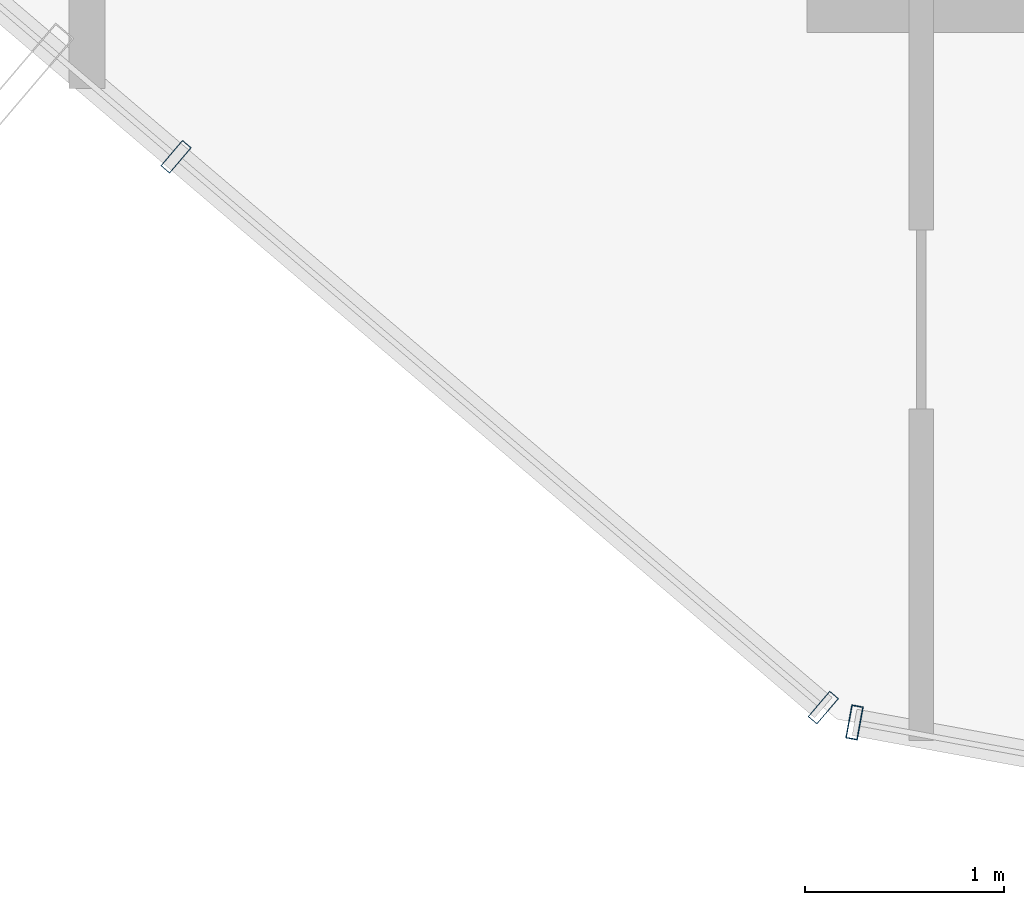
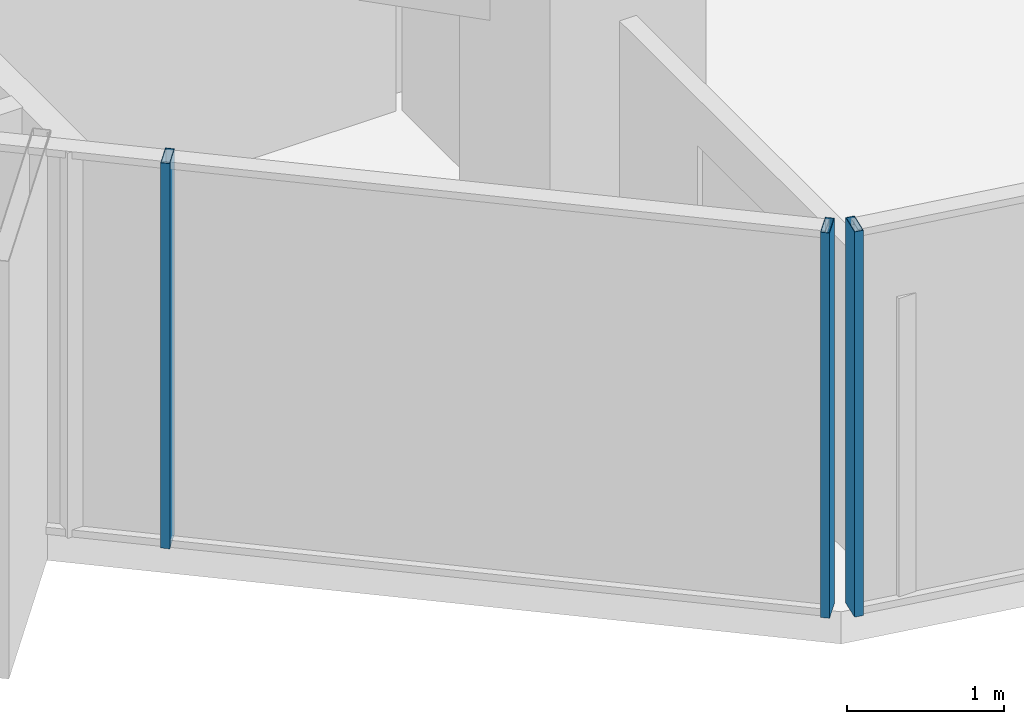
# One storey, part 4 of 33: 3 members, 2 elements without a shape of their own.
"""IFC4 building model written with IfcOpenShell, lengths in metres."""

from ifc_helpers import new_model, si_unit, direction, frame, origin, origin_2d, place, context, subcontext, project, spatial, hollow_rectangle, extrude, source, transform, mapped, material, layer, layer_set, material_profile, profile_set, type_object, element, aggregate, save


model = new_model("IFC4")

# Units and contexts
model_context = context("Model", 3, precision=1e-05, world=origin(), true_north=direction((0.0, 1.0)))
body_context = subcontext(model_context, "Body", "Model", "MODEL_VIEW")
ifc_project = project(units=[si_unit("LENGTHUNIT", "METRE"), si_unit("AREAUNIT", "SQUARE_METRE"), si_unit("VOLUMEUNIT", "CUBIC_METRE"), si_unit("PLANEANGLEUNIT", "RADIAN"), si_unit("MASSUNIT", "GRAM", prefix="KILO")], contexts=[model_context])

# Site, building, storey
site_placement = place(None, origin())
site = spatial("IfcSite", under=ifc_project, at=site_placement, CompositionType="ELEMENT")
building_placement = place(site_placement, origin())
building = spatial("IfcBuilding", under=site, at=building_placement, Name="Veraguas Prism Commons", CompositionType="ELEMENT")
storey_placement = place(building_placement, frame((0.0, 0.0, 92.699951171875)))
storey = spatial("IfcBuildingStorey", under=building, at=storey_placement, Name="L25", CompositionType="ELEMENT", Elevation=92.699951171875)

# Curtain wall, members
ifc_material = material(Name="Anodised aluminium EN AW-6063 T6", Category="aluminium")
ifc_layer = layer(ifc_material, 0.169921875, Name="Unitised Flush Curtain Wall Zone 2", Category="aluminium")
ifc_layer_set = layer_set([ifc_layer], Name="Anodised aluminium EN AW-6063 T6")
curtain_wall_type = type_object("IfcCurtainWallType", Name="Unitised Flush Curtain Wall Zone 2", PredefinedType="NOTDEFINED", material=ifc_layer_set)
curtain_wall_1_placement = place(storey_placement, origin())
curtain_wall_1 = element("IfcCurtainWall", 1, at=curtain_wall_1_placement, inside=storey, type_object=curtain_wall_type, Name="Tower Facade Curtain Wall L25-F4", PredefinedType="NOTDEFINED")
ifc_material_profile = material_profile(ifc_material, hollow_rectangle(XDim=0.06005859375, YDim=0.169921875, WallThickness=0.00390625, at=origin_2d()), Name="AL60X170X4")
ifc_profile_set = profile_set([ifc_material_profile], Name="Anodised aluminium EN AW-6063 T6")
member_type = type_object("IfcMemberType", Name="Curtain Wall Mullion Lower AL 60x170x4", PredefinedType="MULLION", material=ifc_profile_set)
shared_shape = source(origin(), body_context, "Body", "SweptSolid", [
    extrude(hollow_rectangle(XDim=0.06005859375, YDim=0.169921875, WallThickness=0.00390625, at=origin_2d()), origin(), (0.0, 0.0, 1.0), 3.0),
])
member_1_placement = place(storey_placement, frame((14.8486328125, 6.599365234375, 0.0), z_axis=(0.0, 0.0, 1.0), x_axis=(0.761540569897, -0.648117242789, 0.0)))
member_1 = element("IfcMember", 2, at=member_1_placement, type_object=member_type, Name="CW-Z2 Mullion 4", PredefinedType="MULLION", context=body_context, shape_type="MappedRepresentation", body=[
    mapped(shared_shape, transform((0.0, 0.0, 0.0), scale=1.0)),
])
member_2_placement = place(storey_placement, frame((18.10693359375, 3.826416015625, 0.0), z_axis=(0.0, 0.0, 1.0), x_axis=(0.761540569897, -0.648117242789, 0.0)))
member_2 = element("IfcMember", 3, at=member_2_placement, type_object=member_type, Name="CW-Z2 Mullion 5", PredefinedType="MULLION", context=body_context, shape_type="MappedRepresentation", body=[
    mapped(shared_shape, transform((0.0, 0.0, 0.0), scale=1.0)),
])
aggregate(curtain_wall_1, [member_1, member_2])

# Curtain wall, member
curtain_wall_2_placement = place(storey_placement, origin())
curtain_wall_2 = element("IfcCurtainWall", 4, at=curtain_wall_2_placement, inside=storey, type_object=curtain_wall_type, Name="Chamfer Curtain Wall L25-C5", PredefinedType="NOTDEFINED")
member_3_placement = place(storey_placement, frame((18.263916015625, 3.751708984375, 0.0), z_axis=(0.0, 0.0, 1.0), x_axis=(0.983565484031, -0.180551761616, 0.0)))
member_3 = element("IfcMember", 5, at=member_3_placement, type_object=member_type, Name="CW-Z2 Mullion 1", PredefinedType="MULLION", context=body_context, shape_type="MappedRepresentation", body=[
    mapped(shared_shape, transform((0.0, 0.0, 0.0), scale=1.0)),
])
aggregate(curtain_wall_2, [member_3])

save(model, "model.ifc")
